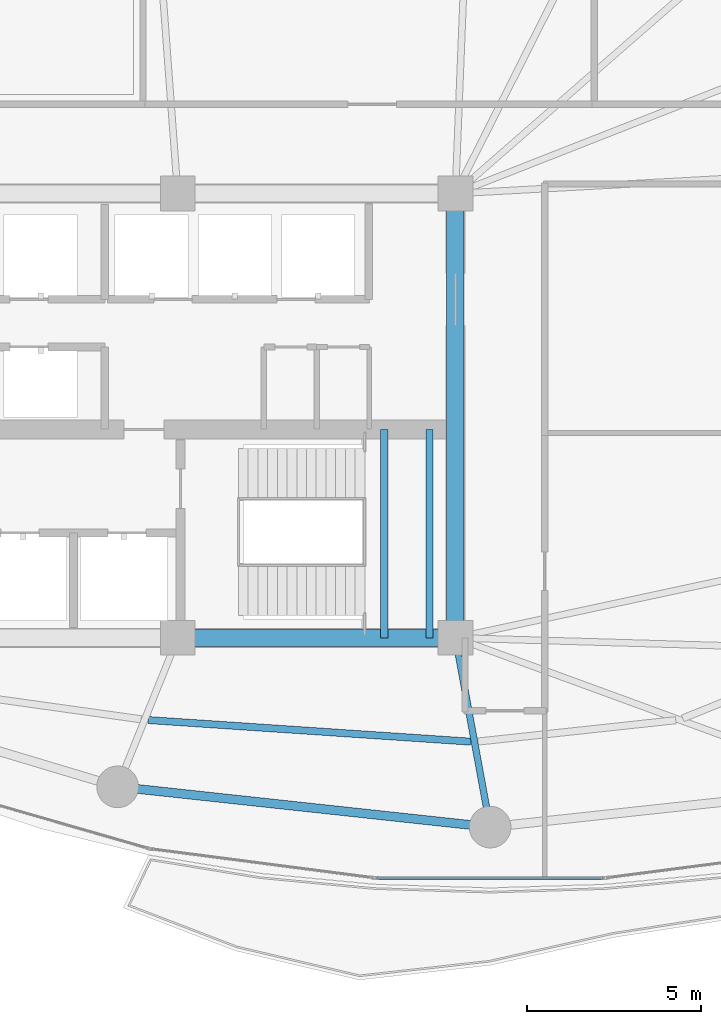
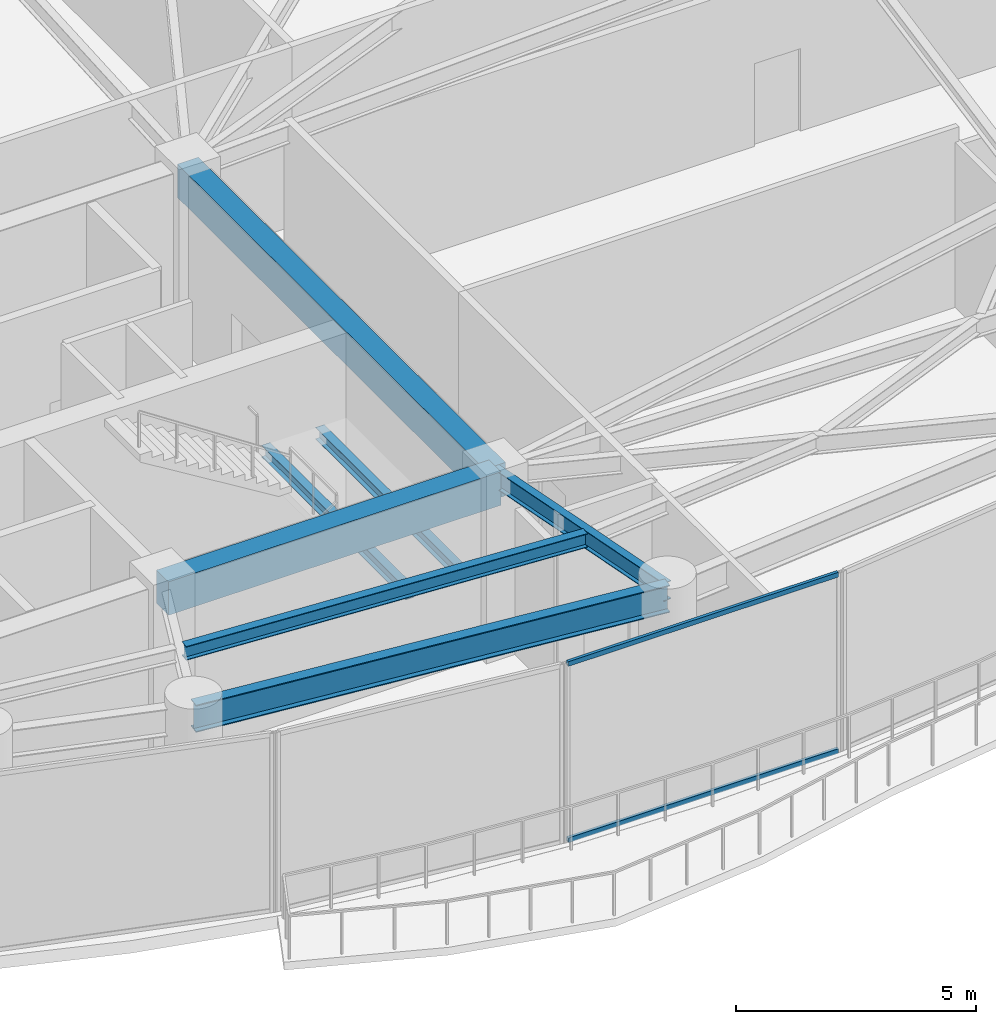
# One storey, part 6 of 30: 7 beams, 2 members, 1 element without a shape of its own.
"""IFC4 building model written with IfcOpenShell, lengths in metres."""

from ifc_helpers import new_model, si_unit, direction, frame, origin, origin_2d, place, context, subcontext, project, spatial, rectangle, hollow_rectangle, i_section, extrude, material, layer, layer_set, material_profile, profile_set, type_object, element, aggregate, save


model = new_model("IFC4")

# Units and contexts
model_context = context("Model", 3, precision=1e-05, world=origin(), true_north=direction((0.0, 1.0)))
body_context = subcontext(model_context, "Body", "Model", "MODEL_VIEW")
ifc_project = project(units=[si_unit("LENGTHUNIT", "METRE"), si_unit("AREAUNIT", "SQUARE_METRE"), si_unit("VOLUMEUNIT", "CUBIC_METRE"), si_unit("PLANEANGLEUNIT", "RADIAN"), si_unit("MASSUNIT", "GRAM", prefix="KILO")], contexts=[model_context])

# Site, building, storey
site_placement = place(None, origin())
site = spatial("IfcSite", under=ifc_project, at=site_placement, CompositionType="ELEMENT")
building_placement = place(site_placement, origin())
building = spatial("IfcBuilding", under=site, at=building_placement, Name="Kazevale Care Tower and Concert Hall", CompositionType="ELEMENT")
storey_placement = place(building_placement, frame((0.0, 0.0, 97.800048828125)))
storey = spatial("IfcBuildingStorey", under=building, at=storey_placement, Name="L25", CompositionType="ELEMENT", Elevation=97.800048828125)

# Curtain wall, members
ifc_material_1 = material(Name="Aluminium 6063-T6 and Low-E Glass", Category="aluminium")
ifc_layer = layer(ifc_material_1, 0.179931640625)
ifc_layer_set = layer_set([ifc_layer], Name="Aluminium 6063-T6 and Low-E Glass")
curtain_wall_type = type_object("IfcCurtainWallType", Name="Sheltered Concave Balcony Curtain Wall CW-5", PredefinedType="NOTDEFINED", material=ifc_layer_set)
curtain_wall_placement = place(storey_placement, origin())
curtain_wall = element("IfcCurtainWall", 1, at=curtain_wall_placement, inside=storey, type_object=curtain_wall_type, Name="cw:L25:f06", PredefinedType="NOTDEFINED")
ifc_material_2 = material(Name="Aluminium 6063-T6", Category="aluminium")
ifc_material_profile_1 = material_profile(ifc_material_2, hollow_rectangle(XDim=0.074951171875, YDim=0.1201171875, WallThickness=0.00390625, at=origin_2d()), Name="ALU75x120x4")
ifc_profile_set_1 = profile_set([ifc_material_profile_1], Name="Aluminium 6063-T6")
member_type = type_object("IfcMemberType", Name="CW-5 Transom ALU75x120x4", PredefinedType="USERDEFINED", material=ifc_profile_set_1)
member_1_placement = place(storey_placement, frame((48.25, 16.68408203125, 0.037353515625), z_axis=(-1.0, 0.0, 0.0), x_axis=(0.0, -1.0, 0.0)))
member_1 = element("IfcMember", 2, at=member_1_placement, type_object=member_type, Name="CW-5 transom 1.1", ObjectType="TRANSOM", PredefinedType="USERDEFINED", context=body_context, shape_type="SweptSolid", body=[
    extrude(hollow_rectangle(XDim=0.074951171875, YDim=0.1201171875, WallThickness=0.00390625, at=origin_2d()), origin(), (0.0, 0.0, 1.0), 6.5),
])
member_2_placement = place(storey_placement, frame((48.25, 16.68408203125, 4.5224609375), z_axis=(-1.0, 0.0, 0.0), x_axis=(0.0, -1.0, 0.0)))
member_2 = element("IfcMember", 3, at=member_2_placement, type_object=member_type, Name="CW-5 transom 1.2", ObjectType="TRANSOM", PredefinedType="USERDEFINED", context=body_context, shape_type="SweptSolid", body=[
    extrude(hollow_rectangle(XDim=0.074951171875, YDim=0.1201171875, WallThickness=0.00390625, at=origin_2d()), origin(), (0.0, 0.0, 1.0), 6.5),
])
aggregate(curtain_wall, [member_1, member_2])

# Beams
ifc_material_3 = material(Name="Concrete C60", Category="concrete")
ifc_material_profile_2 = material_profile(ifc_material_3, rectangle(XDim=0.5, YDim=0.85009765625, at=origin_2d()), Name="RC-B500x850")
ifc_profile_set_2 = profile_set([ifc_material_profile_2], Name="Concrete C60")
beam_type_1 = type_object("IfcBeamType", Name="Core Coupling Beam RC500x850", PredefinedType="LINTEL", material=ifc_profile_set_2)
beam_1_placement = place(storey_placement, frame((36.0, 23.60009765625, 4.135009765625), z_axis=(1.0, 0.0, 0.0), x_axis=(0.0, 1.0, 0.0)))
element("IfcBeam", 4, at=beam_1_placement, inside=storey, type_object=beam_type_1, Name="beam:L25:coretie:3", PredefinedType="LINTEL", context=body_context, shape_type="SweptSolid", body=[
    extrude(rectangle(XDim=0.5, YDim=0.85009765625, at=origin_2d()), origin(), (0.0, 0.0, 1.0), 8.0),
])
beam_2_placement = place(storey_placement, frame((44.0, 23.60009765625, 4.135009765625), z_axis=(0.0, 1.0, 0.0), x_axis=(-1.0, 0.0, 0.0)))
element("IfcBeam", 5, at=beam_2_placement, inside=storey, type_object=beam_type_1, Name="beam:L25:coretie:4", PredefinedType="LINTEL", context=body_context, shape_type="SweptSolid", body=[
    extrude(rectangle(XDim=0.5, YDim=0.85009765625, at=origin_2d()), origin(), (0.0, 0.0, 1.0), 12.7998046875),
])
ifc_material_4 = material(Name="Steel ASTM A572 Gr 50", Category="steel")
ifc_material_profile_3 = material_profile(ifc_material_4, i_section(OverallWidth=0.19091796875, OverallDepth=0.4599609375, WebThickness=0.010009765625, FlangeThickness=0.01611328125, at=origin_2d()), Name="W460x82")
ifc_profile_set_3 = profile_set([ifc_material_profile_3], Name="Steel ASTM A572 Gr 50")
beam_type_2 = type_object("IfcBeamType", Name="Radial Floor Beam W460x82", PredefinedType="BEAM", material=ifc_profile_set_3)
beam_3_placement = place(storey_placement, frame((44.0, 23.60009765625, 4.329833984375), z_axis=(0.180467114023, -0.983581018908, 0.0), x_axis=(0.983581018908, 0.180467114023, 0.0)))
element("IfcBeam", 6, at=beam_3_placement, inside=storey, type_object=beam_type_2, Name="beam:L25:rad:13", PredefinedType="BEAM", context=body_context, shape_type="SweptSolid", body=[
    extrude(i_section(OverallWidth=0.19091796875, OverallDepth=0.4599609375, WebThickness=0.010009765625, FlangeThickness=0.01611328125, at=origin_2d()), origin(), (0.0, 0.0, 1.0), 5.541259765625),
])
ifc_material_profile_4 = material_profile(ifc_material_4, i_section(OverallWidth=0.205078125, OverallDepth=0.35400390625, WebThickness=0.009521484375, FlangeThickness=0.016845703125, at=origin_2d()), Name="W360x79")
ifc_profile_set_4 = profile_set([ifc_material_profile_4], Name="Steel ASTM A572 Gr 50")
beam_type_3 = type_object("IfcBeamType", Name="Secondary Floor Joist W360x79", PredefinedType="JOIST", material=ifc_profile_set_4)
beam_4_placement = place(storey_placement, frame((35.153076171875, 21.23291015625, 4.383056640625), z_axis=(0.997761314569, -0.06687569925, 0.0), x_axis=(0.06687569925, 0.997761314569, 0.0)))
element("IfcBeam", 7, at=beam_4_placement, inside=storey, type_object=beam_type_3, Name="beam:L25:joist:12", PredefinedType="JOIST", context=body_context, shape_type="SweptSolid", body=[
    extrude(i_section(OverallWidth=0.205078125, OverallDepth=0.35400390625, WebThickness=0.009521484375, FlangeThickness=0.016845703125, at=origin_2d()), origin(), (0.0, 0.0, 1.0), 9.312744140625),
])
ifc_material_profile_5 = material_profile(ifc_material_4, i_section(OverallWidth=0.202880859375, OverallDepth=0.302978515625, WebThickness=0.007568359375, FlangeThickness=0.01318359375, at=origin_2d()), Name="W310x60")
ifc_profile_set_5 = profile_set([ifc_material_profile_5], Name="Steel ASTM A572 Gr 50")
beam_type_4 = type_object("IfcBeamType", Name="Stair & Balcony Trimmer W310x60", PredefinedType="BEAM", material=ifc_profile_set_5)
for number, where, z_axis, x_axis, name in (
    (8, (41.949951171875, 23.60009765625, 2.04833984375), (0.0, 1.0, 0.0), (-1.0, 0.0, 0.0), "beam:L25:sttrim:ST2"),
    (9, (43.25, 23.60009765625, 2.04833984375), (0.0, 1.0, 0.0), (-1.0, 0.0, 0.0), "beam:L25:sttrim:ST2b"),
):
    element("IfcBeam", number, at=place(storey_placement, frame(where, z_axis=z_axis, x_axis=x_axis)), inside=storey, type_object=beam_type_4, Name=name, PredefinedType="BEAM", context=body_context, shape_type="SweptSolid", body=[
        extrude(i_section(OverallWidth=0.202880859375, OverallDepth=0.302978515625, WebThickness=0.007568359375, FlangeThickness=0.01318359375, at=origin_2d()), origin(), (0.0, 0.0, 1.0), 6.0),
    ])
ifc_material_profile_6 = material_profile(ifc_material_4, i_section(OverallWidth=0.256103515625, OverallDepth=0.693115234375, WebThickness=0.014404296875, FlangeThickness=0.023681640625, at=origin_2d()), Name="W690x170")
ifc_profile_set_6 = profile_set([ifc_material_profile_6], Name="Steel ASTM A572 Gr 50")
beam_type_5 = type_object("IfcBeamType", Name="Waist Ring Beam W690x170", PredefinedType="BEAM", material=ifc_profile_set_6)
beam_5_placement = place(storey_placement, frame((34.27001953125, 19.31005859375, 4.21337890625), z_axis=(0.994205479487, -0.107496346724, 0.0), x_axis=(0.107496346724, 0.994205479487, 0.0)))
element("IfcBeam", 10, at=beam_5_placement, inside=storey, type_object=beam_type_5, Name="beam:L25:ring:12", PredefinedType="BEAM", context=body_context, shape_type="SweptSolid", body=[
    extrude(i_section(OverallWidth=0.256103515625, OverallDepth=0.693115234375, WebThickness=0.014404296875, FlangeThickness=0.023681640625, at=origin_2d()), origin(), (0.0, 0.0, 1.0), 10.79248046875),
])

save(model, "model.ifc")
